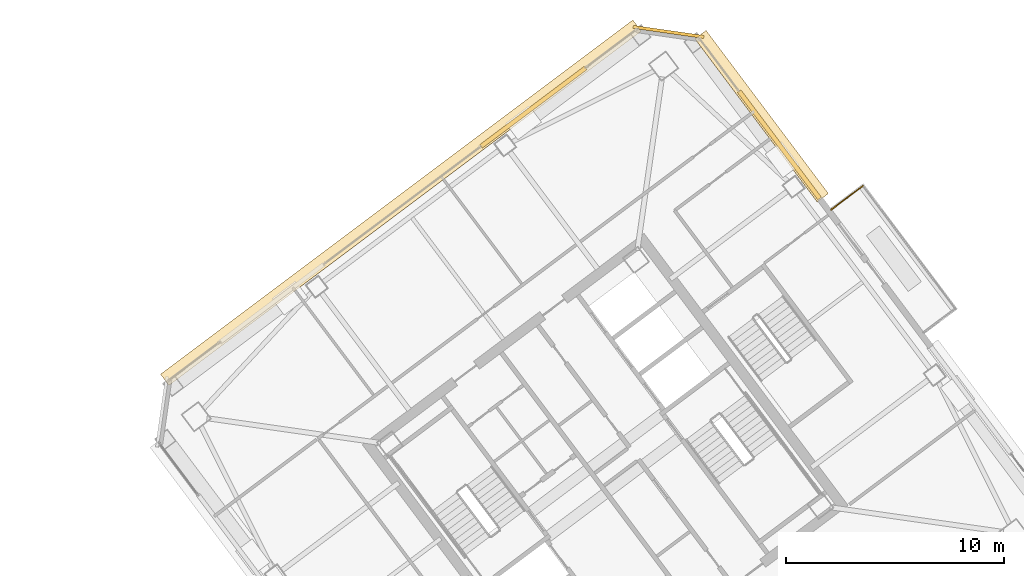
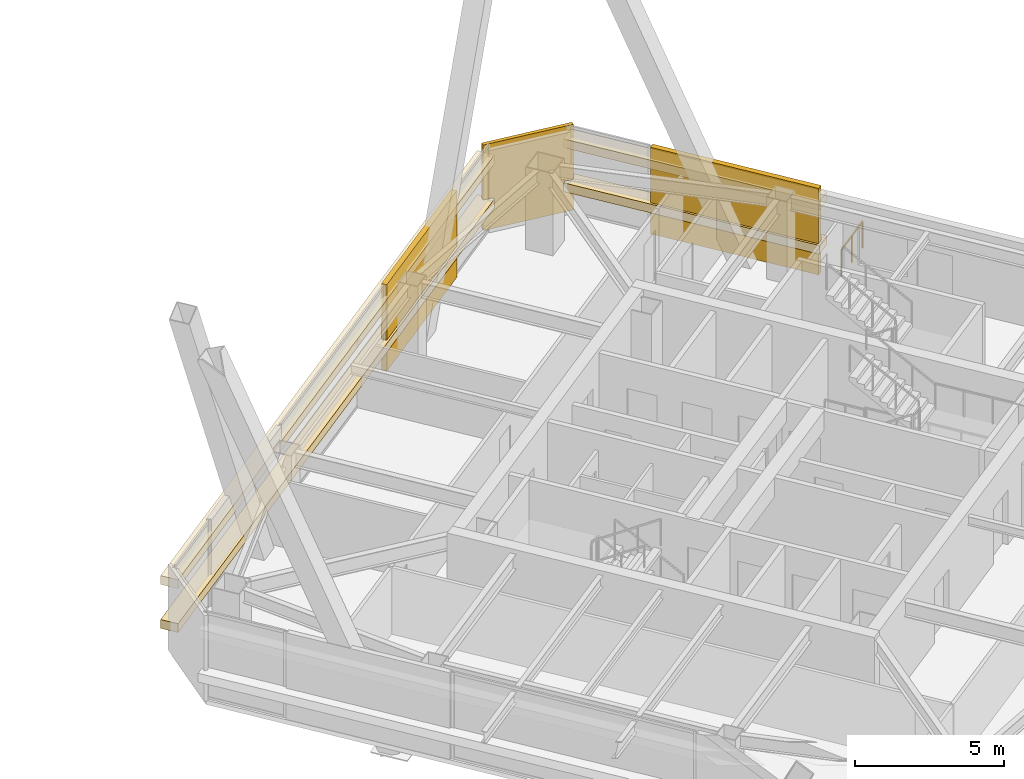
# One storey, part 56 of 56: 7 coverings, 1 railing.
"""IFC4 building model written with IfcOpenShell, lengths in metres."""

from ifc_helpers import new_model, si_unit, direction, frame, origin, origin_2d, place, context, subcontext, project, spatial, rectangle, extrude, material, layer, layer_set, type_object, element, save


model = new_model("IFC4")

# Units and contexts
model_context = context("Model", 3, precision=1e-05, world=origin(), true_north=direction((0.0, 1.0)))
body_context = subcontext(model_context, "Body", "Model", "MODEL_VIEW")
ifc_project = project(units=[si_unit("LENGTHUNIT", "METRE"), si_unit("AREAUNIT", "SQUARE_METRE"), si_unit("VOLUMEUNIT", "CUBIC_METRE"), si_unit("PLANEANGLEUNIT", "RADIAN"), si_unit("MASSUNIT", "GRAM", prefix="KILO")], contexts=[model_context])

# Site, building, storey
site_placement = place(None, origin())
site = spatial("IfcSite", under=ifc_project, at=site_placement, CompositionType="ELEMENT")
building_placement = place(site_placement, origin())
building = spatial("IfcBuilding", under=site, at=building_placement, Name="Tashvorn Skyway Center", CompositionType="ELEMENT")
storey_placement = place(building_placement, frame((0.0, 0.0, 218.39990234375)))
storey = spatial("IfcBuildingStorey", under=building, at=storey_placement, Name="L59", CompositionType="ELEMENT", Elevation=218.39990234375)

# Coverings
ifc_material_1 = material(Name="Precast concrete C40/50", Category="concrete")
ifc_layer_1 = layer(ifc_material_1, 0.199951171875)
ifc_layer_set_1 = layer_set([ifc_layer_1], Name="Precast concrete C40/50")
covering_type_1 = type_object("IfcCoveringType", Name="COV-BRACE-CLAD", PredefinedType="CLADDING", material=ifc_layer_set_1)
covering_1_placement = place(storey_placement, frame((110.703125, 48.87744140625, 0.0), z_axis=(0.0, 0.0, 1.0), x_axis=(0.799999996291, 0.600000004945, 0.0)))
element("IfcCovering", 1, at=covering_1_placement, inside=storey, type_object=covering_type_1, Name="Tower 2 L59 North Unitised Curtain Wall Mega-Brace Cladding Band 2", PredefinedType="CLADDING", context=body_context, shape_type="SweptSolid", body=[
    extrude(rectangle(XDim=5.9912109375, YDim=0.199951171875, at=origin_2d()), origin(), (0.0, 0.0, 1.0), 3.550048828125),
])
covering_2_placement = place(storey_placement, frame((121.988037109375, 47.1494140625, 0.0), z_axis=(0.0, 0.0, 1.0), x_axis=(0.600000004945, -0.799999996291, 0.0)))
element("IfcCovering", 2, at=covering_2_placement, inside=storey, type_object=covering_type_1, Name="Tower 2 L59 East Curtain Wall L Mega-Brace Cladding Band 1", PredefinedType="CLADDING", context=body_context, shape_type="SweptSolid", body=[
    extrude(rectangle(XDim=6.1533203125, YDim=0.199951171875, at=origin_2d()), origin(), (0.0, 0.0, 1.0), 3.550048828125),
])
ifc_material_2 = material(Name="Perforated ceramic-coated bronze aluminium solar screen", Category="aluminium")
ifc_layer_2 = layer(ifc_material_2, 0.85009765625)
ifc_layer_set_2 = layer_set([ifc_layer_2], Name="Perforated ceramic-coated bronze aluminium solar screen")
covering_type_2 = type_object("IfcCoveringType", Name="COV-SOLAR-BAND", PredefinedType="CLADDING", material=ifc_layer_set_2)
for number, where, z_axis, x_axis, name in (
    (3, (104.6279296875, 44.49609375, 0.919921875), (0.0, 0.0, 1.0), (0.799999996291, 0.600000004945, 0.0), "L59 Perforated Ceramic-Metal Solar Screen Louvre Band North 1"),
    (4, (104.6279296875, 44.49609375, 2.72021484375), (0.0, 0.0, 1.0), (0.799999996291, 0.600000004945, 0.0), "L59 Perforated Ceramic-Metal Solar Screen Louvre Band North 2"),
):
    element("IfcCovering", number, at=place(storey_placement, frame(where, z_axis=z_axis, x_axis=x_axis)), inside=storey, type_object=covering_type_2, Name=name, PredefinedType="CLADDING", context=body_context, shape_type="SweptSolid", body=[
        extrude(rectangle(XDim=27.080078125, YDim=0.639892578125, at=origin_2d()), origin(), (0.0, 0.0, 1.0), 0.360107421875),
    ])
for number, where, z_axis, x_axis, name in (
    (5, (121.177001953125, 48.464111328125, 0.919921875), (0.0, 0.0, 1.0), (0.600000004945, -0.799999996291, 0.0), "L59 Perforated Ceramic-Metal Solar Screen Louvre Band East 1"),
    (6, (121.177001953125, 48.464111328125, 2.72021484375), (0.0, 0.0, 1.0), (0.600000004945, -0.799999996291, 0.0), "L59 Perforated Ceramic-Metal Solar Screen Louvre Band East 2"),
):
    element("IfcCovering", number, at=place(storey_placement, frame(where, z_axis=z_axis, x_axis=x_axis)), inside=storey, type_object=covering_type_2, Name=name, PredefinedType="CLADDING", context=body_context, shape_type="SweptSolid", body=[
        extrude(rectangle(XDim=9.35009765625, YDim=0.639892578125, at=origin_2d()), origin(), (0.0, 0.0, 1.0), 0.360107421875),
    ])
ifc_layer_3 = layer(ifc_material_1, 0.35009765625)
ifc_layer_set_3 = layer_set([ifc_layer_3], Name="Precast concrete C40/50")
covering_type_3 = type_object("IfcCoveringType", Name="COV-STONE-TRIM", PredefinedType="CLADDING", material=ifc_layer_set_3)
covering_3_placement = place(storey_placement, frame((116.904052734375, 52.327880859375, 0.02001953125), z_axis=(0.0, 0.0, 1.0), x_axis=(0.989949494535, -0.141421350118, 0.0)))
element("IfcCovering", 7, at=covering_3_placement, inside=storey, type_object=covering_type_3, Name="Tower 2 L59 NE Mojave Limestone Corner Quoin", PredefinedType="CLADDING", context=body_context, shape_type="SweptSolid", body=[
    extrude(rectangle(XDim=3.271240234375, YDim=0.139892578125, at=origin_2d()), origin(), (0.0, 0.0, 1.0), 3.510009765625),
])

# Railing
ifc_material_3 = material(Name="Galvanized steel S355", Category="steel")
railing_type = type_object("IfcRailingType", Name="RAIL-GUARD-1120", PredefinedType="GUARDRAIL", material=ifc_material_3)
railing_placement = place(storey_placement, frame((125.823974609375, 45.26806640625, 0.0)))
element("IfcRailing", 8, at=railing_placement, inside=storey, type_object=railing_type, Name="L59 Tower 2 Terrace Guardrail 03", PredefinedType="GUARDRAIL", context=body_context, shape_type="SweptSolid", body=[
    extrude(rectangle(XDim=0.048095703125, YDim=0.048095703125, at=origin_2d()), frame((0.0, 0.0, 1.09619140625), z_axis=(-0.8, -0.6, 0.0), x_axis=(0.6, -0.8, 0.0)), (0.0, 0.0, 1.0), 1.820068359375),
    extrude(rectangle(XDim=0.0419921875, YDim=0.0419921875, at=origin_2d()), origin(), (0.0, 0.0, 1.0), 1.072021484375),
    extrude(rectangle(XDim=0.0419921875, YDim=0.0419921875, at=origin_2d()), frame((-0.72802734375, -0.5458984375, 0.0)), (0.0, 0.0, 1.0), 1.072021484375),
    extrude(rectangle(XDim=0.0419921875, YDim=0.0419921875, at=origin_2d()), frame((-1.4560546875, -1.092041015625, 0.0)), (0.0, 0.0, 1.0), 1.072021484375),
])

save(model, "model.ifc")
